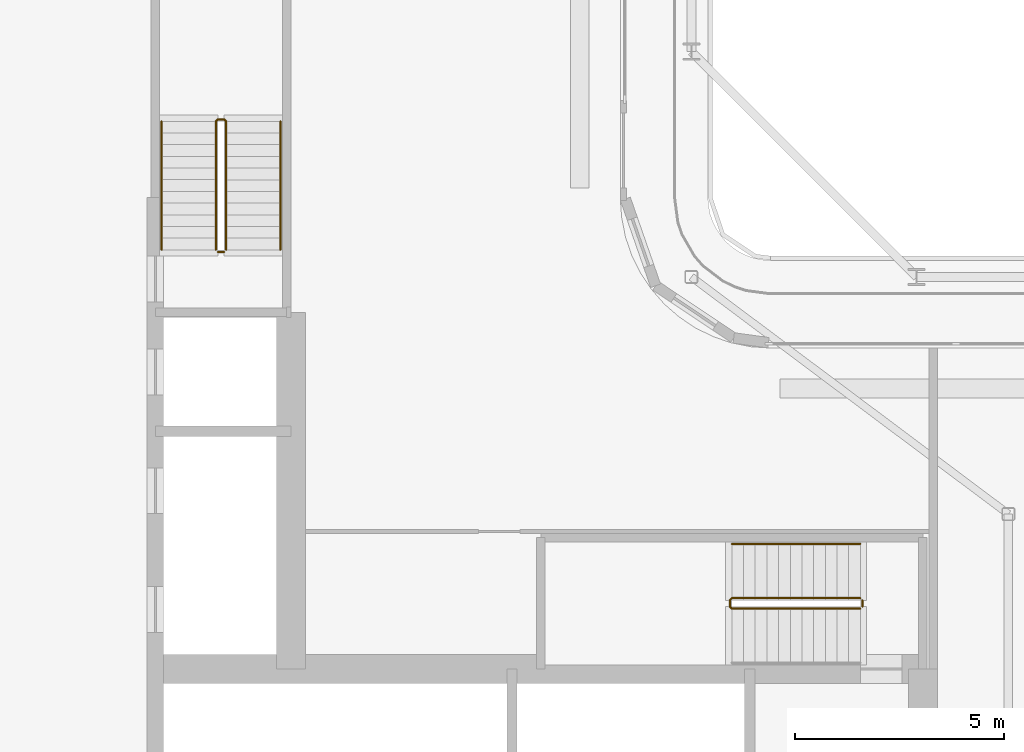
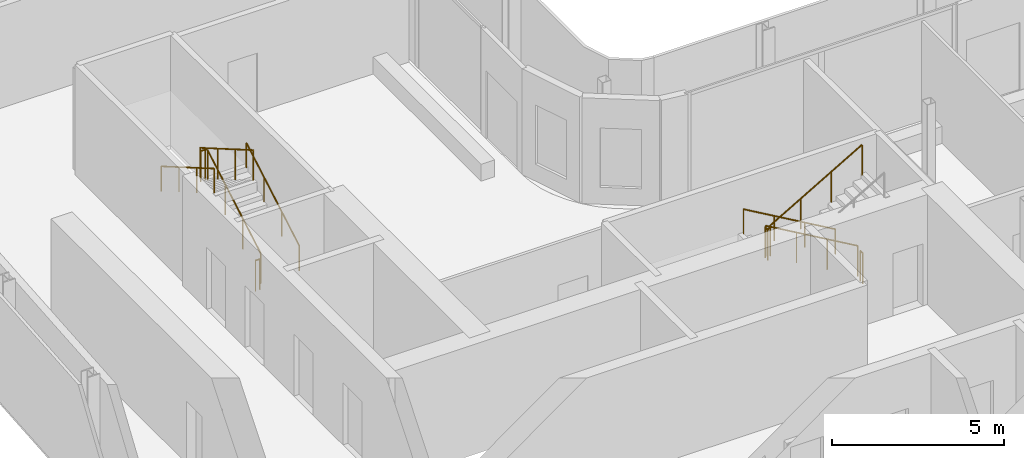
# One storey, part 18 of 23: 7 railings.
"""IFC4 building model written with IfcOpenShell, lengths in metres."""

from ifc_helpers import new_model, si_unit, direction, frame, origin, origin_2d, place, context, subcontext, project, spatial, circle, extrude, material, type_object, element, save


model = new_model("IFC4")

# Units and contexts
model_context = context("Model", 3, precision=1e-05, world=origin(), true_north=direction((0.0, 1.0)))
body_context = subcontext(model_context, "Body", "Model", "MODEL_VIEW")
ifc_project = project(units=[si_unit("LENGTHUNIT", "METRE"), si_unit("AREAUNIT", "SQUARE_METRE"), si_unit("VOLUMEUNIT", "CUBIC_METRE"), si_unit("PLANEANGLEUNIT", "RADIAN"), si_unit("MASSUNIT", "GRAM", prefix="KILO")], contexts=[model_context])

# Site, building, storey
site_placement = place(None, origin())
site = spatial("IfcSite", under=ifc_project, at=site_placement, CompositionType="ELEMENT")
building_placement = place(site_placement, origin())
building = spatial("IfcBuilding", under=site, at=building_placement, Name="Kheshtan School and Residences Tower", CompositionType="ELEMENT")
storey_placement = place(building_placement, frame((0.0, 0.0, 247.39990234375)))
storey = spatial("IfcBuildingStorey", under=building, at=storey_placement, Name="L58", CompositionType="ELEMENT", Elevation=247.39990234375)

# Railings
ifc_material_1 = material(Name="Stainless steel balustrade", Category="steel")
railing_type_1 = type_object("IfcRailingType", Name="Stair guard 1100", PredefinedType="GUARDRAIL", material=ifc_material_1)
railing_1_placement = place(storey_placement, frame((51.64990234375, 37.89990234375, 0.16259765625)))
element("IfcRailing", 1, at=railing_1_placement, inside=storey, type_object=railing_type_1, Name="L58 ST1 stair guard 1", PredefinedType="GUARDRAIL", context=body_context, shape_type="SweptSolid", body=[
    extrude(circle(Radius=0.02392578125, at=origin_2d()), frame((0.0, 0.0, 1.076171875), z_axis=(-0.864873446163, 0.0, 0.501989962173), x_axis=(0.0, -1.0, 0.0)), (0.0, 0.0, 1.0), 3.56103515625),
    extrude(circle(Radius=0.02392578125, at=origin_2d()), frame((-3.079833984375, 0.0, 2.86376953125), z_axis=(-0.708833529934, -0.705375805398, 0.0), x_axis=(0.705375805398, -0.708833529934, 0.0)), (0.0, 0.0, 1.0), 0.070556640625),
    extrude(circle(Radius=0.02392578125, at=origin_2d()), frame((-3.1298828125, -0.0498046875, 2.86376953125), z_axis=(0.0, -1.0, 0.0), x_axis=(1.0, 0.0, 0.0)), (0.0, 0.0, 1.0), 0.150146484375),
    extrude(circle(Radius=0.02392578125, at=origin_2d()), frame((-3.1298828125, -0.199951171875, 2.86376953125), z_axis=(0.282583949758, -0.282583949758, 0.916674763849), x_axis=(0.707106781187, 0.707106781187, 0.0)), (0.0, 0.0, 1.0), 0.177001953125),
    extrude(circle(Radius=0.02392578125, at=origin_2d()), frame((-3.079833984375, -0.25, 3.02587890625), z_axis=(0.864873446163, 0.0, 0.501989962173), x_axis=(0.0, 1.0, 0.0)), (0.0, 0.0, 1.0), 3.56103515625),
    extrude(circle(Radius=0.02099609375, at=origin_2d()), origin(), (0.0, 0.0, 1.0), 1.052001953125),
    extrude(circle(Radius=0.02099609375, at=origin_2d()), frame((-1.026611328125, 0.0, 0.595947265625)), (0.0, 0.0, 1.0), 1.052001953125),
    extrude(circle(Radius=0.02099609375, at=origin_2d()), frame((-2.05322265625, 0.0, 1.191650390625)), (0.0, 0.0, 1.0), 1.052001953125),
    extrude(circle(Radius=0.02099609375, at=origin_2d()), frame((-3.079833984375, 0.0, 1.78759765625)), (0.0, 0.0, 1.0), 1.052001953125),
    extrude(circle(Radius=0.02099609375, at=origin_2d()), frame((-3.1298828125, -0.0498046875, 1.78759765625)), (0.0, 0.0, 1.0), 1.052001953125),
    extrude(circle(Radius=0.02099609375, at=origin_2d()), frame((-3.1298828125, -0.199951171875, 1.78759765625)), (0.0, 0.0, 1.0), 1.052001953125),
    extrude(circle(Radius=0.02099609375, at=origin_2d()), frame((-3.079833984375, -0.25, 1.949951171875)), (0.0, 0.0, 1.0), 1.052001953125),
    extrude(circle(Radius=0.02099609375, at=origin_2d()), frame((-2.05322265625, -0.25, 2.5458984375)), (0.0, 0.0, 1.0), 1.052001953125),
    extrude(circle(Radius=0.02099609375, at=origin_2d()), frame((-1.026611328125, -0.25, 3.1416015625)), (0.0, 0.0, 1.0), 1.052001953125),
    extrude(circle(Radius=0.02099609375, at=origin_2d()), frame((0.0, -0.25, 3.737548828125)), (0.0, 0.0, 1.0), 1.052001953125),
])
railing_2_placement = place(storey_placement, frame((51.699951171875, 37.85009765625, 0.0)))
element("IfcRailing", 2, at=railing_2_placement, inside=storey, type_object=railing_type_1, Name="L58 ST1 stair guard 2", PredefinedType="GUARDRAIL", context=body_context, shape_type="SweptSolid", body=[
    extrude(circle(Radius=0.02392578125, at=origin_2d()), frame((0.0, 0.0, 1.076171875), z_axis=(0.0, -1.0, 0.0), x_axis=(1.0, 0.0, 0.0)), (0.0, 0.0, 1.0), 0.150146484375),
    extrude(circle(Radius=0.02099609375, at=origin_2d()), origin(), (0.0, 0.0, 1.0), 1.052001953125),
    extrude(circle(Radius=0.02099609375, at=origin_2d()), frame((0.0, -0.150146484375, 0.0)), (0.0, 0.0, 1.0), 1.052001953125),
])
railing_3_placement = place(storey_placement, frame((36.449951171875, 46.25, 0.16259765625)))
element("IfcRailing", 3, at=railing_3_placement, inside=storey, type_object=railing_type_1, Name="L58 ST2 stair guard 1", PredefinedType="GUARDRAIL", context=body_context, shape_type="SweptSolid", body=[
    extrude(circle(Radius=0.02392578125, at=origin_2d()), frame((0.0, 0.0, 1.076171875), z_axis=(0.0, 0.864890721111, 0.501960198159), x_axis=(-1.0, 0.0, 0.0)), (0.0, 0.0, 1.0), 3.561279296875),
    extrude(circle(Radius=0.02392578125, at=origin_2d()), frame((0.0, 3.080078125, 2.86376953125), z_axis=(-0.708833529934, 0.705375805398, 0.0), x_axis=(-0.705375805398, -0.708833529934, 0.0)), (0.0, 0.0, 1.0), 0.070556640625),
    extrude(circle(Radius=0.02392578125, at=origin_2d()), frame((-0.050048828125, 3.1298828125, 2.86376953125), z_axis=(-1.0, 0.0, 0.0), x_axis=(0.0, -1.0, 0.0)), (0.0, 0.0, 1.0), 0.14990234375),
    extrude(circle(Radius=0.02392578125, at=origin_2d()), frame((-0.199951171875, 3.1298828125, 2.86376953125), z_axis=(-0.282693820306, -0.281314826061, 0.917031173188), x_axis=(0.705375805398, -0.708833529934, 0.0)), (0.0, 0.0, 1.0), 0.177001953125),
    extrude(circle(Radius=0.02392578125, at=origin_2d()), frame((-0.25, 3.080078125, 3.02587890625), z_axis=(0.0, -0.864890721111, 0.501960198159), x_axis=(1.0, 0.0, 0.0)), (0.0, 0.0, 1.0), 3.561279296875),
    extrude(circle(Radius=0.02099609375, at=origin_2d()), origin(), (0.0, 0.0, 1.0), 1.052001953125),
    extrude(circle(Radius=0.02099609375, at=origin_2d()), frame((0.0, 1.026611328125, 0.595947265625)), (0.0, 0.0, 1.0), 1.052001953125),
    extrude(circle(Radius=0.02099609375, at=origin_2d()), frame((0.0, 2.053466796875, 1.191650390625)), (0.0, 0.0, 1.0), 1.052001953125),
    extrude(circle(Radius=0.02099609375, at=origin_2d()), frame((0.0, 3.080078125, 1.78759765625)), (0.0, 0.0, 1.0), 1.052001953125),
    extrude(circle(Radius=0.02099609375, at=origin_2d()), frame((-0.050048828125, 3.1298828125, 1.78759765625)), (0.0, 0.0, 1.0), 1.052001953125),
    extrude(circle(Radius=0.02099609375, at=origin_2d()), frame((-0.199951171875, 3.1298828125, 1.78759765625)), (0.0, 0.0, 1.0), 1.052001953125),
    extrude(circle(Radius=0.02099609375, at=origin_2d()), frame((-0.25, 3.080078125, 1.949951171875)), (0.0, 0.0, 1.0), 1.052001953125),
    extrude(circle(Radius=0.02099609375, at=origin_2d()), frame((-0.25, 2.053466796875, 2.5458984375)), (0.0, 0.0, 1.0), 1.052001953125),
    extrude(circle(Radius=0.02099609375, at=origin_2d()), frame((-0.25, 1.026611328125, 3.1416015625)), (0.0, 0.0, 1.0), 1.052001953125),
    extrude(circle(Radius=0.02099609375, at=origin_2d()), frame((-0.25, 0.0, 3.737548828125)), (0.0, 0.0, 1.0), 1.052001953125),
])
railing_4_placement = place(storey_placement, frame((36.39990234375, 46.199951171875, 0.0)))
element("IfcRailing", 4, at=railing_4_placement, inside=storey, type_object=railing_type_1, Name="L58 ST2 stair guard 2", PredefinedType="GUARDRAIL", context=body_context, shape_type="SweptSolid", body=[
    extrude(circle(Radius=0.02392578125, at=origin_2d()), frame((0.0, 0.0, 1.076171875), z_axis=(-1.0, 0.0, 0.0), x_axis=(0.0, -1.0, 0.0)), (0.0, 0.0, 1.0), 0.14990234375),
    extrude(circle(Radius=0.02099609375, at=origin_2d()), origin(), (0.0, 0.0, 1.0), 1.052001953125),
    extrude(circle(Radius=0.02099609375, at=origin_2d()), frame((-0.14990234375, 0.0, 0.0)), (0.0, 0.0, 1.0), 1.052001953125),
])
ifc_material_2 = material(Name="Stainless steel handrail", Category="steel")
railing_type_2 = type_object("IfcRailingType", Name="Stair handrail 900", PredefinedType="HANDRAIL", material=ifc_material_2)
railing_5_placement = place(storey_placement, frame((51.64990234375, 39.199951171875, 0.16259765625)))
element("IfcRailing", 5, at=railing_5_placement, inside=storey, type_object=railing_type_2, Name="L58 ST1 stair handrail 1", PredefinedType="HANDRAIL", context=body_context, shape_type="SweptSolid", body=[
    extrude(circle(Radius=0.02392578125, at=origin_2d()), frame((0.0, 0.0, 0.8759765625), z_axis=(-0.864873446163, 0.0, 0.501989962173), x_axis=(0.0, -1.0, 0.0)), (0.0, 0.0, 1.0), 3.56103515625),
    extrude(circle(Radius=0.02099609375, at=origin_2d()), origin(), (0.0, 0.0, 1.0), 0.851806640625),
    extrude(circle(Radius=0.02099609375, at=origin_2d()), frame((-1.026611328125, 0.0, 0.595947265625)), (0.0, 0.0, 1.0), 0.851806640625),
    extrude(circle(Radius=0.02099609375, at=origin_2d()), frame((-2.05322265625, 0.0, 1.191650390625)), (0.0, 0.0, 1.0), 0.851806640625),
    extrude(circle(Radius=0.02099609375, at=origin_2d()), frame((-3.079833984375, 0.0, 1.78759765625)), (0.0, 0.0, 1.0), 0.851806640625),
])
railing_6_placement = place(storey_placement, frame((37.75, 46.25, 0.16259765625)))
element("IfcRailing", 6, at=railing_6_placement, inside=storey, type_object=railing_type_2, Name="L58 ST2 stair handrail 1", PredefinedType="HANDRAIL", context=body_context, shape_type="SweptSolid", body=[
    extrude(circle(Radius=0.02392578125, at=origin_2d()), frame((0.0, 0.0, 0.8759765625), z_axis=(0.0, 0.864890721111, 0.501960198159), x_axis=(-1.0, 0.0, 0.0)), (0.0, 0.0, 1.0), 3.561279296875),
    extrude(circle(Radius=0.02099609375, at=origin_2d()), origin(), (0.0, 0.0, 1.0), 0.851806640625),
    extrude(circle(Radius=0.02099609375, at=origin_2d()), frame((0.0, 1.026611328125, 0.595947265625)), (0.0, 0.0, 1.0), 0.851806640625),
    extrude(circle(Radius=0.02099609375, at=origin_2d()), frame((0.0, 2.053466796875, 1.191650390625)), (0.0, 0.0, 1.0), 0.851806640625),
    extrude(circle(Radius=0.02099609375, at=origin_2d()), frame((0.0, 3.080078125, 1.78759765625)), (0.0, 0.0, 1.0), 0.851806640625),
])
railing_7_placement = place(storey_placement, frame((34.89990234375, 49.330078125, 2.112548828125)))
element("IfcRailing", 7, at=railing_7_placement, inside=storey, type_object=railing_type_2, Name="L58 ST2 stair handrail 2", PredefinedType="HANDRAIL", context=body_context, shape_type="SweptSolid", body=[
    extrude(circle(Radius=0.02392578125, at=origin_2d()), frame((0.0, 0.0, 0.8759765625), z_axis=(0.0, -0.864890721111, 0.501960198159), x_axis=(1.0, 0.0, 0.0)), (0.0, 0.0, 1.0), 3.561279296875),
    extrude(circle(Radius=0.02099609375, at=origin_2d()), origin(), (0.0, 0.0, 1.0), 0.851806640625),
    extrude(circle(Radius=0.02099609375, at=origin_2d()), frame((0.0, -1.026611328125, 0.595947265625)), (0.0, 0.0, 1.0), 0.851806640625),
    extrude(circle(Radius=0.02099609375, at=origin_2d()), frame((0.0, -2.053466796875, 1.191650390625)), (0.0, 0.0, 1.0), 0.851806640625),
    extrude(circle(Radius=0.02099609375, at=origin_2d()), frame((0.0, -3.080078125, 1.78759765625)), (0.0, 0.0, 1.0), 0.851806640625),
])

save(model, "model.ifc")
